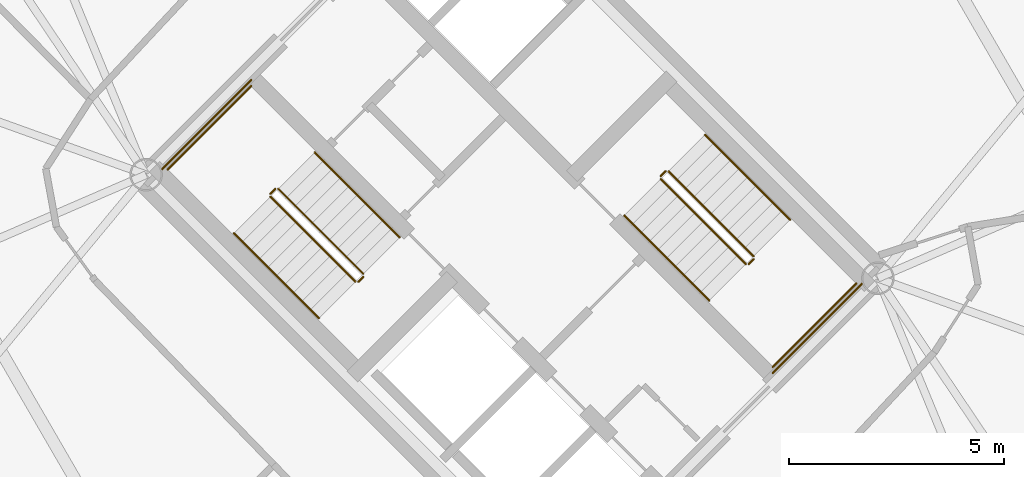
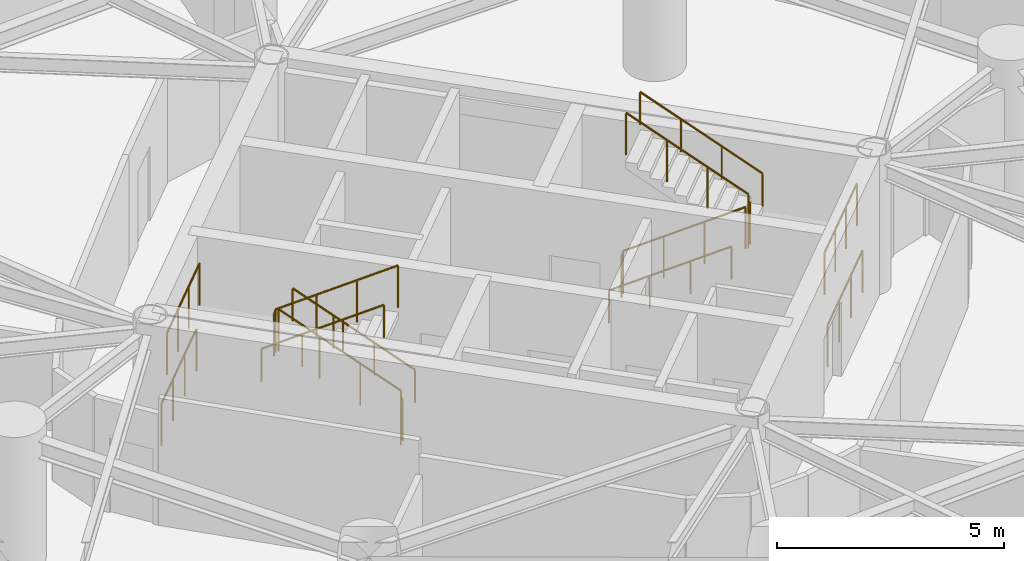
# One storey, part 19 of 19: 16 railings.
"""IFC4 building model written with IfcOpenShell, lengths in metres."""

from ifc_helpers import new_model, si_unit, direction, frame, origin, origin_2d, place, context, subcontext, project, spatial, circle, extrude, material, type_object, element, save


model = new_model("IFC4")

# Units and contexts
model_context = context("Model", 3, precision=1e-05, world=origin(), true_north=direction((0.0, 1.0)))
body_context = subcontext(model_context, "Body", "Model", "MODEL_VIEW")
ifc_project = project(units=[si_unit("LENGTHUNIT", "METRE"), si_unit("AREAUNIT", "SQUARE_METRE"), si_unit("VOLUMEUNIT", "CUBIC_METRE"), si_unit("PLANEANGLEUNIT", "RADIAN"), si_unit("MASSUNIT", "GRAM", prefix="KILO")], contexts=[model_context])

# Site, building, storey
site_placement = place(None, origin())
site = spatial("IfcSite", under=ifc_project, at=site_placement, CompositionType="ELEMENT")
building_placement = place(site_placement, origin())
building = spatial("IfcBuilding", under=site, at=building_placement, Name="Cununo Teusaquillo Station Towers", CompositionType="ELEMENT")
storey_placement = place(building_placement, frame((0.0, 0.0, 132.8798828125)))
storey = spatial("IfcBuildingStorey", under=building, at=storey_placement, Name="L42", CompositionType="ELEMENT", Elevation=132.8798828125)

# Railings
ifc_material_1 = material(Name="Steel EN 10025-2 S355J2", Category="steel")
railing_type_1 = type_object("IfcRailingType", Name="RL-INT-GUARD", PredefinedType="GUARDRAIL", material=ifc_material_1)
railing_1_placement = place(storey_placement, frame((54.03515625, 23.39697265625, 0.169189453125)))
element("IfcRailing", 1, at=railing_1_placement, inside=storey, type_object=railing_type_1, Name="L42 ST-T2-1 stair guard 1", PredefinedType="GUARDRAIL", context=body_context, shape_type="SweptSolid", body=[
    extrude(circle(Radius=0.02392578125, at=origin_2d()), frame((0.0, 0.0, 1.1259765625), z_axis=(-0.60528201841, 0.60528201841, 0.516979067642), x_axis=(-0.707106781187, -0.707106781187, 0.0)), (0.0, 0.0, 1.0), 3.270751953125),
    extrude(circle(Radius=0.02099609375, at=origin_2d()), origin(), (0.0, 0.0, 1.0), 1.101806640625),
    extrude(circle(Radius=0.02099609375, at=origin_2d()), frame((-0.659912109375, 0.659912109375, 0.563720703125)), (0.0, 0.0, 1.0), 1.101806640625),
    extrude(circle(Radius=0.02099609375, at=origin_2d()), frame((-1.31982421875, 1.31982421875, 1.127197265625)), (0.0, 0.0, 1.0), 1.101806640625),
    extrude(circle(Radius=0.02099609375, at=origin_2d()), frame((-1.979736328125, 1.979736328125, 1.69091796875)), (0.0, 0.0, 1.0), 1.101806640625),
])
railing_2_placement = place(storey_placement, frame((51.984619140625, 25.376708984375, 1.860107421875)))
element("IfcRailing", 2, at=railing_2_placement, inside=storey, type_object=railing_type_1, Name="L42 ST-T2-1 stair guard 2", PredefinedType="GUARDRAIL", context=body_context, shape_type="SweptSolid", body=[
    extrude(circle(Radius=0.02392578125, at=origin_2d()), frame((0.0, 0.0, 1.1259765625), z_axis=(-0.707106781187, -0.707106781187, 0.0), x_axis=(0.707106781187, -0.707106781187, 0.0)), (0.0, 0.0, 1.0), 0.159912109375),
    extrude(circle(Radius=0.02099609375, at=origin_2d()), origin(), (0.0, 0.0, 1.0), 1.101806640625),
    extrude(circle(Radius=0.02099609375, at=origin_2d()), frame((-0.113037109375, -0.113037109375, 0.0)), (0.0, 0.0, 1.0), 1.101806640625),
])
railing_3_placement = place(storey_placement, frame((51.426025390625, 27.77392578125, 1.860107421875)))
element("IfcRailing", 3, at=railing_3_placement, inside=storey, type_object=railing_type_1, Name="L42 ST-T2-1 stair guard 3", PredefinedType="GUARDRAIL", context=body_context, shape_type="SweptSolid", body=[
    extrude(circle(Radius=0.02392578125, at=origin_2d()), frame((0.0, 0.0, 1.1259765625), z_axis=(-0.707106781187, -0.707106781187, 0.0), x_axis=(0.707106781187, -0.707106781187, 0.0)), (0.0, 0.0, 1.0), 2.760009765625),
    extrude(circle(Radius=0.02099609375, at=origin_2d()), origin(), (0.0, 0.0, 1.0), 1.101806640625),
    extrude(circle(Radius=0.02099609375, at=origin_2d()), frame((-0.650634765625, -0.650634765625, 0.0)), (0.0, 0.0, 1.0), 1.101806640625),
    extrude(circle(Radius=0.02099609375, at=origin_2d()), frame((-1.301025390625, -1.301025390625, 0.0)), (0.0, 0.0, 1.0), 1.101806640625),
    extrude(circle(Radius=0.02099609375, at=origin_2d()), frame((-1.95166015625, -1.95166015625, 0.0)), (0.0, 0.0, 1.0), 1.101806640625),
])
railing_4_placement = place(storey_placement, frame((51.87158203125, 25.19287109375, 2.029296875)))
element("IfcRailing", 4, at=railing_4_placement, inside=storey, type_object=railing_type_1, Name="L42 ST-T2-1 stair guard 4", PredefinedType="GUARDRAIL", context=body_context, shape_type="SweptSolid", body=[
    extrude(circle(Radius=0.02392578125, at=origin_2d()), frame((0.0, 0.0, 1.1259765625), z_axis=(0.60528201841, -0.60528201841, 0.516979067642), x_axis=(0.707106781187, 0.707106781187, 0.0)), (0.0, 0.0, 1.0), 3.270751953125),
    extrude(circle(Radius=0.02099609375, at=origin_2d()), origin(), (0.0, 0.0, 1.0), 1.101806640625),
    extrude(circle(Radius=0.02099609375, at=origin_2d()), frame((0.659912109375, -0.659912109375, 0.563720703125)), (0.0, 0.0, 1.0), 1.101806640625),
    extrude(circle(Radius=0.02099609375, at=origin_2d()), frame((1.31982421875, -1.31982421875, 1.127197265625)), (0.0, 0.0, 1.0), 1.101806640625),
    extrude(circle(Radius=0.02099609375, at=origin_2d()), frame((1.979736328125, -1.979736328125, 1.69091796875)), (0.0, 0.0, 1.0), 1.101806640625),
])
railing_5_placement = place(storey_placement, frame((54.03515625, 23.326171875, 0.0)))
element("IfcRailing", 5, at=railing_5_placement, inside=storey, type_object=railing_type_1, Name="L42 ST-T2-1 stair guard 5", PredefinedType="GUARDRAIL", context=body_context, shape_type="SweptSolid", body=[
    extrude(circle(Radius=0.02392578125, at=origin_2d()), frame((0.0, 0.0, 1.1259765625), z_axis=(-0.707106781187, -0.707106781187, 0.0), x_axis=(0.707106781187, -0.707106781187, 0.0)), (0.0, 0.0, 1.0), 0.159912109375),
    extrude(circle(Radius=0.02099609375, at=origin_2d()), origin(), (0.0, 0.0, 1.0), 1.101806640625),
    extrude(circle(Radius=0.02099609375, at=origin_2d()), frame((-0.113037109375, -0.113037109375, 0.0)), (0.0, 0.0, 1.0), 1.101806640625),
])
railing_6_placement = place(storey_placement, frame((51.426025390625, 27.915283203125, 0.0)))
element("IfcRailing", 6, at=railing_6_placement, inside=storey, type_object=railing_type_1, Name="L42 ST-T2-1 stair guard 6", PredefinedType="GUARDRAIL", context=body_context, shape_type="SweptSolid", body=[
    extrude(circle(Radius=0.02392578125, at=origin_2d()), frame((0.0, 0.0, 1.1259765625), z_axis=(-0.707106781187, -0.707106781187, 0.0), x_axis=(0.707106781187, -0.707106781187, 0.0)), (0.0, 0.0, 1.0), 2.9599609375),
    extrude(circle(Radius=0.02099609375, at=origin_2d()), origin(), (0.0, 0.0, 1.0), 1.101806640625),
    extrude(circle(Radius=0.02099609375, at=origin_2d()), frame((-0.69775390625, -0.69775390625, 0.0)), (0.0, 0.0, 1.0), 1.101806640625),
    extrude(circle(Radius=0.02099609375, at=origin_2d()), frame((-1.395263671875, -1.395263671875, 0.0)), (0.0, 0.0, 1.0), 1.101806640625),
    extrude(circle(Radius=0.02099609375, at=origin_2d()), frame((-2.093017578125, -2.093017578125, 0.0)), (0.0, 0.0, 1.0), 1.101806640625),
])
railing_7_placement = place(storey_placement, frame((60.96484375, 25.60302734375, 0.169189453125)))
element("IfcRailing", 7, at=railing_7_placement, inside=storey, type_object=railing_type_1, Name="L42 ST-T2-2 stair guard 1", PredefinedType="GUARDRAIL", context=body_context, shape_type="SweptSolid", body=[
    extrude(circle(Radius=0.02392578125, at=origin_2d()), frame((0.0, 0.0, 1.1259765625), z_axis=(0.60528201841, -0.60528201841, 0.516979067642), x_axis=(0.707106781187, 0.707106781187, 0.0)), (0.0, 0.0, 1.0), 3.270751953125),
    extrude(circle(Radius=0.02099609375, at=origin_2d()), origin(), (0.0, 0.0, 1.0), 1.101806640625),
    extrude(circle(Radius=0.02099609375, at=origin_2d()), frame((0.659912109375, -0.659912109375, 0.563720703125)), (0.0, 0.0, 1.0), 1.101806640625),
    extrude(circle(Radius=0.02099609375, at=origin_2d()), frame((1.31982421875, -1.31982421875, 1.127197265625)), (0.0, 0.0, 1.0), 1.101806640625),
    extrude(circle(Radius=0.02099609375, at=origin_2d()), frame((1.979736328125, -1.979736328125, 1.69091796875)), (0.0, 0.0, 1.0), 1.101806640625),
])
railing_8_placement = place(storey_placement, frame((63.015380859375, 23.623291015625, 1.860107421875)))
element("IfcRailing", 8, at=railing_8_placement, inside=storey, type_object=railing_type_1, Name="L42 ST-T2-2 stair guard 2", PredefinedType="GUARDRAIL", context=body_context, shape_type="SweptSolid", body=[
    extrude(circle(Radius=0.02392578125, at=origin_2d()), frame((0.0, 0.0, 1.1259765625), z_axis=(0.707106781187, 0.707106781187, 0.0), x_axis=(-0.707106781187, 0.707106781187, 0.0)), (0.0, 0.0, 1.0), 0.159912109375),
    extrude(circle(Radius=0.02099609375, at=origin_2d()), origin(), (0.0, 0.0, 1.0), 1.101806640625),
    extrude(circle(Radius=0.02099609375, at=origin_2d()), frame((0.113037109375, 0.113037109375, 0.0)), (0.0, 0.0, 1.0), 1.101806640625),
])
railing_9_placement = place(storey_placement, frame((63.573974609375, 21.22607421875, 1.860107421875)))
element("IfcRailing", 9, at=railing_9_placement, inside=storey, type_object=railing_type_1, Name="L42 ST-T2-2 stair guard 3", PredefinedType="GUARDRAIL", context=body_context, shape_type="SweptSolid", body=[
    extrude(circle(Radius=0.02392578125, at=origin_2d()), frame((0.0, 0.0, 1.1259765625), z_axis=(0.707106781187, 0.707106781187, 0.0), x_axis=(-0.707106781187, 0.707106781187, 0.0)), (0.0, 0.0, 1.0), 2.760009765625),
    extrude(circle(Radius=0.02099609375, at=origin_2d()), origin(), (0.0, 0.0, 1.0), 1.101806640625),
    extrude(circle(Radius=0.02099609375, at=origin_2d()), frame((0.650634765625, 0.650634765625, 0.0)), (0.0, 0.0, 1.0), 1.101806640625),
    extrude(circle(Radius=0.02099609375, at=origin_2d()), frame((1.301025390625, 1.301025390625, 0.0)), (0.0, 0.0, 1.0), 1.101806640625),
    extrude(circle(Radius=0.02099609375, at=origin_2d()), frame((1.95166015625, 1.95166015625, 0.0)), (0.0, 0.0, 1.0), 1.101806640625),
])
railing_10_placement = place(storey_placement, frame((63.12841796875, 23.80712890625, 2.029296875)))
element("IfcRailing", 10, at=railing_10_placement, inside=storey, type_object=railing_type_1, Name="L42 ST-T2-2 stair guard 4", PredefinedType="GUARDRAIL", context=body_context, shape_type="SweptSolid", body=[
    extrude(circle(Radius=0.02392578125, at=origin_2d()), frame((0.0, 0.0, 1.1259765625), z_axis=(-0.60528201841, 0.60528201841, 0.516979067642), x_axis=(-0.707106781187, -0.707106781187, 0.0)), (0.0, 0.0, 1.0), 3.270751953125),
    extrude(circle(Radius=0.02099609375, at=origin_2d()), origin(), (0.0, 0.0, 1.0), 1.101806640625),
    extrude(circle(Radius=0.02099609375, at=origin_2d()), frame((-0.659912109375, 0.659912109375, 0.563720703125)), (0.0, 0.0, 1.0), 1.101806640625),
    extrude(circle(Radius=0.02099609375, at=origin_2d()), frame((-1.31982421875, 1.31982421875, 1.127197265625)), (0.0, 0.0, 1.0), 1.101806640625),
    extrude(circle(Radius=0.02099609375, at=origin_2d()), frame((-1.979736328125, 1.979736328125, 1.69091796875)), (0.0, 0.0, 1.0), 1.101806640625),
])
railing_11_placement = place(storey_placement, frame((60.96484375, 25.673828125, 0.0)))
element("IfcRailing", 11, at=railing_11_placement, inside=storey, type_object=railing_type_1, Name="L42 ST-T2-2 stair guard 5", PredefinedType="GUARDRAIL", context=body_context, shape_type="SweptSolid", body=[
    extrude(circle(Radius=0.02392578125, at=origin_2d()), frame((0.0, 0.0, 1.1259765625), z_axis=(0.707106781187, 0.707106781187, 0.0), x_axis=(-0.707106781187, 0.707106781187, 0.0)), (0.0, 0.0, 1.0), 0.159912109375),
    extrude(circle(Radius=0.02099609375, at=origin_2d()), origin(), (0.0, 0.0, 1.0), 1.101806640625),
    extrude(circle(Radius=0.02099609375, at=origin_2d()), frame((0.113037109375, 0.113037109375, 0.0)), (0.0, 0.0, 1.0), 1.101806640625),
])
railing_12_placement = place(storey_placement, frame((63.573974609375, 21.084716796875, 0.0)))
element("IfcRailing", 12, at=railing_12_placement, inside=storey, type_object=railing_type_1, Name="L42 ST-T2-2 stair guard 6", PredefinedType="GUARDRAIL", context=body_context, shape_type="SweptSolid", body=[
    extrude(circle(Radius=0.02392578125, at=origin_2d()), frame((0.0, 0.0, 1.1259765625), z_axis=(0.707106781187, 0.707106781187, 0.0), x_axis=(-0.707106781187, 0.707106781187, 0.0)), (0.0, 0.0, 1.0), 2.9599609375),
    extrude(circle(Radius=0.02099609375, at=origin_2d()), origin(), (0.0, 0.0, 1.0), 1.101806640625),
    extrude(circle(Radius=0.02099609375, at=origin_2d()), frame((0.69775390625, 0.69775390625, 0.0)), (0.0, 0.0, 1.0), 1.101806640625),
    extrude(circle(Radius=0.02099609375, at=origin_2d()), frame((1.395263671875, 1.395263671875, 0.0)), (0.0, 0.0, 1.0), 1.101806640625),
    extrude(circle(Radius=0.02099609375, at=origin_2d()), frame((2.093017578125, 2.093017578125, 0.0)), (0.0, 0.0, 1.0), 1.101806640625),
])
ifc_material_2 = material(Name="Steel EN 10025-2 S355J2", Category="steel")
railing_type_2 = type_object("IfcRailingType", Name="RL-INT-HRAIL", PredefinedType="HANDRAIL", material=ifc_material_2)
railing_13_placement = place(storey_placement, frame((54.8837890625, 24.245361328125, 0.169189453125)))
element("IfcRailing", 13, at=railing_13_placement, inside=storey, type_object=railing_type_2, Name="L42 ST-T2-1 stair handrail 1", PredefinedType="HANDRAIL", context=body_context, shape_type="SweptSolid", body=[
    extrude(circle(Radius=0.02392578125, at=origin_2d()), frame((0.0, 0.0, 0.8759765625), z_axis=(-0.605301965407, 0.605301965407, 0.516932356647), x_axis=(-0.707106781187, -0.707106781187, 0.0)), (0.0, 0.0, 1.0), 3.27099609375),
    extrude(circle(Radius=0.02099609375, at=origin_2d()), origin(), (0.0, 0.0, 1.0), 0.851806640625),
    extrude(circle(Radius=0.02099609375, at=origin_2d()), frame((-0.659912109375, 0.659912109375, 0.563720703125)), (0.0, 0.0, 1.0), 0.851806640625),
    extrude(circle(Radius=0.02099609375, at=origin_2d()), frame((-1.320068359375, 1.320068359375, 1.127197265625)), (0.0, 0.0, 1.0), 0.851806640625),
    extrude(circle(Radius=0.02099609375, at=origin_2d()), frame((-1.97998046875, 1.97998046875, 1.69091796875)), (0.0, 0.0, 1.0), 0.851806640625),
])
for number, where, name in (
    (14, (51.02294921875, 24.344482421875, 2.029296875), "L42 ST-T2-1 stair handrail 2"),
    (15, (60.1162109375, 24.754638671875, 0.169189453125), "L42 ST-T2-2 stair handrail 1"),
):
    element("IfcRailing", number, at=place(storey_placement, frame(where)), inside=storey, type_object=railing_type_2, Name=name, PredefinedType="HANDRAIL", context=body_context, shape_type="SweptSolid", body=[
        extrude(circle(Radius=0.02392578125, at=origin_2d()), frame((0.0, 0.0, 0.8759765625), z_axis=(0.605301965407, -0.605301965407, 0.516932356647), x_axis=(0.707106781187, 0.707106781187, 0.0)), (0.0, 0.0, 1.0), 3.27099609375),
        extrude(circle(Radius=0.02099609375, at=origin_2d()), origin(), (0.0, 0.0, 1.0), 0.851806640625),
        extrude(circle(Radius=0.02099609375, at=origin_2d()), frame((0.659912109375, -0.659912109375, 0.563720703125)), (0.0, 0.0, 1.0), 0.851806640625),
        extrude(circle(Radius=0.02099609375, at=origin_2d()), frame((1.320068359375, -1.320068359375, 1.127197265625)), (0.0, 0.0, 1.0), 0.851806640625),
        extrude(circle(Radius=0.02099609375, at=origin_2d()), frame((1.97998046875, -1.97998046875, 1.69091796875)), (0.0, 0.0, 1.0), 0.851806640625),
    ])
railing_14_placement = place(storey_placement, frame((63.97705078125, 24.655517578125, 2.029296875)))
element("IfcRailing", 16, at=railing_14_placement, inside=storey, type_object=railing_type_2, Name="L42 ST-T2-2 stair handrail 2", PredefinedType="HANDRAIL", context=body_context, shape_type="SweptSolid", body=[
    extrude(circle(Radius=0.02392578125, at=origin_2d()), frame((0.0, 0.0, 0.8759765625), z_axis=(-0.605301965407, 0.605301965407, 0.516932356647), x_axis=(-0.707106781187, -0.707106781187, 0.0)), (0.0, 0.0, 1.0), 3.27099609375),
    extrude(circle(Radius=0.02099609375, at=origin_2d()), origin(), (0.0, 0.0, 1.0), 0.851806640625),
    extrude(circle(Radius=0.02099609375, at=origin_2d()), frame((-0.659912109375, 0.659912109375, 0.563720703125)), (0.0, 0.0, 1.0), 0.851806640625),
    extrude(circle(Radius=0.02099609375, at=origin_2d()), frame((-1.320068359375, 1.320068359375, 1.127197265625)), (0.0, 0.0, 1.0), 0.851806640625),
    extrude(circle(Radius=0.02099609375, at=origin_2d()), frame((-1.97998046875, 1.97998046875, 1.69091796875)), (0.0, 0.0, 1.0), 0.851806640625),
])

save(model, "model.ifc")
